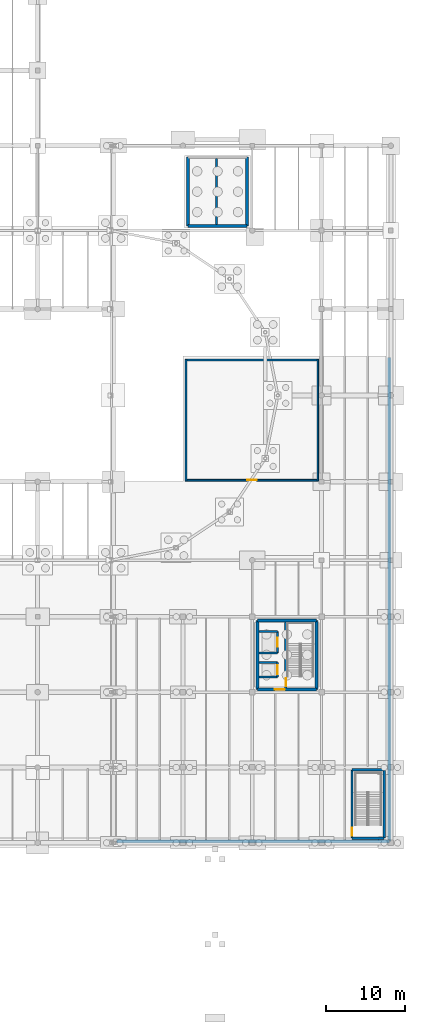
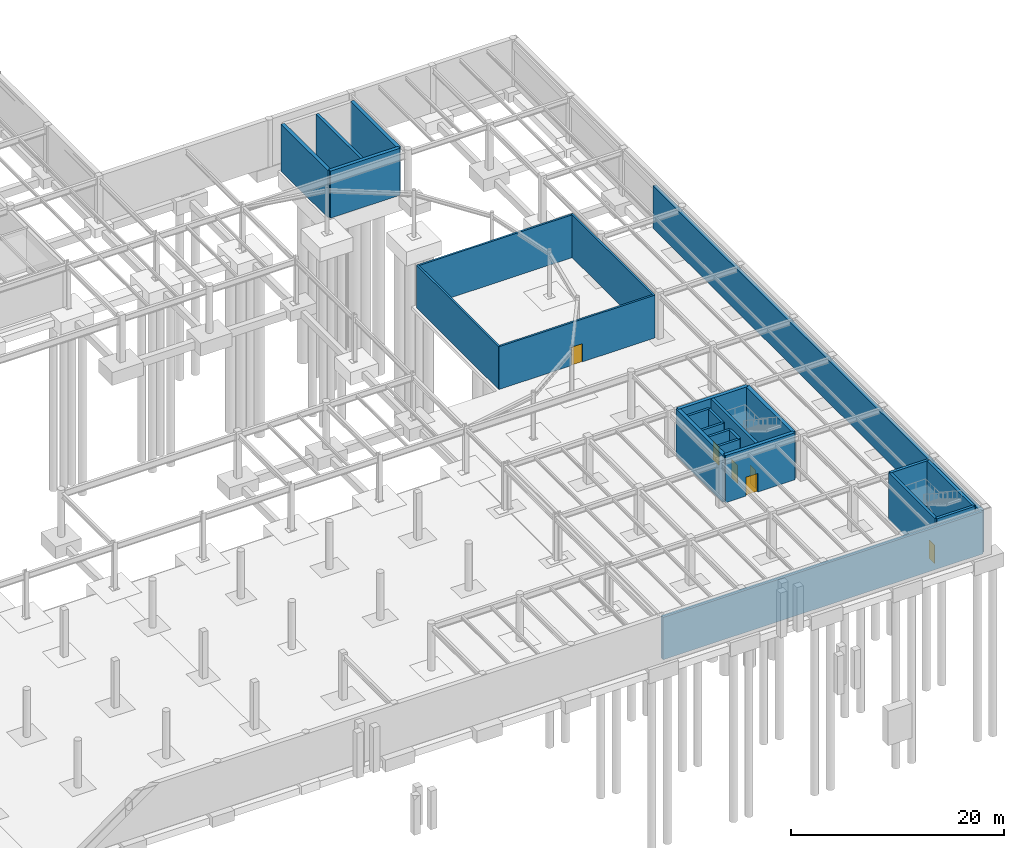
# One storey, part 46 of 50: 25 walls, 6 doors, 6 openings.
"""IFC4 building model written with IfcOpenShell, lengths in metres."""

from ifc_helpers import new_model, si_unit, direction, frame, frame_2d, origin, place, context, subcontext, project, spatial, rectangle, extrude, material, layer, layer_set, type_object, element, fill, save


model = new_model("IFC4")

# Units and contexts
model_context = context("Model", 3, precision=1e-05, world=origin(), true_north=direction((0.0, 1.0)))
body_context = subcontext(model_context, "Body", "Model", "MODEL_VIEW")
ifc_project = project(units=[si_unit("LENGTHUNIT", "METRE"), si_unit("AREAUNIT", "SQUARE_METRE"), si_unit("VOLUMEUNIT", "CUBIC_METRE"), si_unit("PLANEANGLEUNIT", "RADIAN"), si_unit("MASSUNIT", "GRAM", prefix="KILO")], contexts=[model_context])

# Site, building, storey
site_placement = place(None, origin())
site = spatial("IfcSite", under=ifc_project, at=site_placement, CompositionType="ELEMENT")
building_placement = place(site_placement, origin())
building = spatial("IfcBuilding", under=site, at=building_placement, Name="Yeouljin Market Hall", CompositionType="ELEMENT")
storey_placement = place(building_placement, frame((0.0, 0.0, -5.39990234375)))
storey = spatial("IfcBuildingStorey", under=building, at=storey_placement, Name="B1", CompositionType="ELEMENT", Elevation=-5.39990234375)

# Wall, opening, door
ifc_material_1 = material(Name="Gypsum Board Fire Partition")
ifc_layer_1 = layer(ifc_material_1, 0.2099609375)
ifc_layer_set_1 = layer_set([ifc_layer_1], Name="Gypsum Board Fire Partition")
wall_type_1 = type_object("IfcWallType", Name="Part_FireCorridor_210", PredefinedType="PARTITIONING", material=ifc_layer_set_1)
wall_1_placement = place(storey_placement, frame((150.219970703125, 46.199951171875, 0.0), z_axis=(0.0, 0.0, 1.0), x_axis=(1.0, 0.0, 0.0)))
wall_1 = element("IfcWall", 1, at=wall_1_placement, inside=storey, type_object=wall_type_1, Name="Interior partition PART-B1-0026", PredefinedType="PARTITIONING", context=body_context, shape_type="SweptSolid", body=[
    extrude(rectangle(XDim=16.9599609375, YDim=0.2099609375, at=frame_2d((8.47998046875, 0.0))), origin(), (0.0, 0.0, 1.0), 4.919921875),
])
opening_1_placement = place(wall_1_placement, frame((7.8798828125, 0.0, 0.0)))
opening_1 = element("IfcOpeningElement", 2, at=opening_1_placement, cuts=wall_1, Name="Opening D-B1-009", PredefinedType="OPENING", context=body_context, shape_type="SweptSolid", body=[
    extrude(rectangle(XDim=1.199951171875, YDim=2.10009765625, at=frame_2d((0.60009765625, 1.050048828125))), frame((0.0, 0.114990234375, 0.0), z_axis=(0.0, -1.0, 0.0), x_axis=(1.0, 0.0, 0.0)), (0.0, 0.0, 1.0), 0.22998046875),
])
ifc_material_2 = material(Name="Painted Fire-Rated Steel", Category="steel")
door_type_1 = type_object("IfcDoorType", Name="DT-FD120", OperationType="NOTDEFINED", PredefinedType="DOOR", material=ifc_material_2)
door_1_placement = place(opening_1_placement, origin())
door_1 = element("IfcDoor", 3, at=door_1_placement, inside=storey, type_object=door_type_1, Name="Interior door D-B1-009 (Food Waste Compactor Room)", OperationType="SINGLE_SWING_LEFT", OverallHeight=2.10009765625, OverallWidth=1.199951171875, PredefinedType="DOOR", context=body_context, shape_type="SweptSolid", body=[
    extrude(rectangle(XDim=1.199951171875, YDim=2.10009765625, at=frame_2d((0.60009765625, 1.050048828125))), frame((0.0, 0.02490234375, 0.0), z_axis=(0.0, -1.0, 0.0), x_axis=(1.0, 0.0, 0.0)), (0.0, 0.0, 1.0), 0.050048828125),
])
fill(opening_1, door_1)

# Walls
for number, where, z_axis, x_axis, name in (
    (4, (167.10009765625, 46.1201171875, 0.0), (0.0, 0.0, 1.0), (0.0, 1.0, 0.0), "Interior partition PART-B1-0027"),
    (5, (150.300048828125, 61.580078125, 0.0), (0.0, 0.0, 1.0), (0.0, -1.0, 0.0), "Interior partition PART-B1-0028"),
):
    element("IfcWall", number, at=place(storey_placement, frame(where, z_axis=z_axis, x_axis=x_axis)), inside=storey, type_object=wall_type_1, Name=name, PredefinedType="PARTITIONING", context=body_context, shape_type="SweptSolid", body=[
        extrude(rectangle(XDim=15.4599609375, YDim=0.2099609375, at=frame_2d((7.72998046875, 0.0))), origin(), (0.0, 0.0, 1.0), 4.919921875),
    ])
wall_2_placement = place(storey_placement, frame((167.179931640625, 61.5, 0.0), z_axis=(0.0, 0.0, 1.0), x_axis=(-1.0, 0.0, 0.0)))
element("IfcWall", 6, at=wall_2_placement, inside=storey, type_object=wall_type_1, Name="Interior partition PART-B1-0029", PredefinedType="PARTITIONING", context=body_context, shape_type="SweptSolid", body=[
    extrude(rectangle(XDim=16.9599609375, YDim=0.2099609375, at=frame_2d((8.47998046875, 0.0))), origin(), (0.0, 0.0, 1.0), 4.919921875),
])

# Wall, opening, door
ifc_material_3 = material(Name="Concrete C35/45", Category="concrete")
ifc_layer_2 = layer(ifc_material_3, 0.260009765625)
ifc_layer_set_2 = layer_set([ifc_layer_2], Name="Concrete C35/45")
wall_type_2 = type_object("IfcWallType", Name="Wall_Compartment_260", PredefinedType="SHEAR", material=ifc_layer_set_2)
wall_3_placement = place(storey_placement, frame((161.945068359375, 21.14990234375, 0.0), z_axis=(0.0, 0.0, 1.0), x_axis=(0.0, 1.0, 0.0)))
wall_3 = element("IfcWall", 7, at=wall_3_placement, inside=storey, type_object=wall_type_2, Name="Lift LP-03 hoistway front wall (B1)", PredefinedType="SHEAR", context=body_context, shape_type="SweptSolid", body=[
    extrude(rectangle(XDim=1.800048828125, YDim=0.260009765625, at=frame_2d((0.89990234375, 0.0))), origin(), (0.0, 0.0, 1.0), 5.39990234375),
])
opening_2_placement = place(wall_3_placement, frame((0.35009765625, 0.0, 0.0)))
opening_2 = element("IfcOpeningElement", 8, at=opening_2_placement, cuts=wall_3, Name="Opening LD-LP-03-B1", PredefinedType="OPENING", context=body_context, shape_type="SweptSolid", body=[
    extrude(rectangle(XDim=1.10009765625, YDim=2.14990234375, at=frame_2d((0.550048828125, 1.074951171875))), frame((0.0, 0.139892578125, 0.0), z_axis=(0.0, -1.0, 0.0), x_axis=(1.0, 0.0, 0.0)), (0.0, 0.0, 1.0), 0.280029296875),
])
ifc_material_4 = material(Name="Brushed Stainless Steel", Category="steel")
door_type_2 = type_object("IfcDoorType", Name="LD-110", OperationType="SLIDING_TO_LEFT", PredefinedType="DOOR", material=ifc_material_4)
door_2_placement = place(opening_2_placement, origin())
door_2 = element("IfcDoor", 9, at=door_2_placement, inside=storey, type_object=door_type_2, Name="Lift landing sliding door LD-LP-03-B1", OperationType="SLIDING_TO_LEFT", OverallHeight=2.14990234375, OverallWidth=1.10009765625, PredefinedType="DOOR", context=body_context, shape_type="SweptSolid", body=[
    extrude(rectangle(XDim=1.10009765625, YDim=2.14990234375, at=frame_2d((0.550048828125, 1.074951171875))), frame((0.0, 0.02490234375, 0.0), z_axis=(0.0, -1.0, 0.0), x_axis=(1.0, 0.0, 0.0)), (0.0, 0.0, 1.0), 0.050048828125),
])
fill(opening_2, door_2)

# Walls
for number, where, z_axis, x_axis, name in (
    (10, (159.590087890625, 21.14990234375, 0.0), (0.0, 0.0, 1.0), (1.0, 0.0, 0.0), "Lift LP-03 shaft cheek wall S (B1)"),
    (11, (159.590087890625, 22.949951171875, 0.0), (0.0, 0.0, 1.0), (1.0, 0.0, 0.0), "Lift LP-03 shaft cheek wall N (B1)"),
):
    element("IfcWall", number, at=place(storey_placement, frame(where, z_axis=z_axis, x_axis=x_axis)), inside=storey, type_object=wall_type_2, Name=name, PredefinedType="SHEAR", context=body_context, shape_type="SweptSolid", body=[
        extrude(rectangle(XDim=2.35498046875, YDim=0.260009765625, at=frame_2d((1.177490234375, 0.0))), origin(), (0.0, 0.0, 1.0), 5.39990234375),
    ])

# Wall, opening, door
wall_4_placement = place(storey_placement, frame((161.945068359375, 24.199951171875, 0.0), z_axis=(0.0, 0.0, 1.0), x_axis=(0.0, 1.0, 0.0)))
wall_4 = element("IfcWall", 12, at=wall_4_placement, inside=storey, type_object=wall_type_2, Name="Lift LS-02 hoistway front wall (B1)", PredefinedType="SHEAR", context=body_context, shape_type="SweptSolid", body=[
    extrude(rectangle(XDim=2.699951171875, YDim=0.260009765625, at=frame_2d((1.35009765625, 0.0))), origin(), (0.0, 0.0, 1.0), 5.39990234375),
])
opening_3_placement = place(wall_4_placement, frame((0.800048828125, 0.0, 0.0)))
opening_3 = element("IfcOpeningElement", 13, at=opening_3_placement, cuts=wall_4, Name="Opening LD-LS-02-B1", PredefinedType="OPENING", context=body_context, shape_type="SweptSolid", body=[
    extrude(rectangle(XDim=1.10009765625, YDim=2.14990234375, at=frame_2d((0.550048828125, 1.074951171875))), frame((0.0, 0.139892578125, 0.0), z_axis=(0.0, -1.0, 0.0), x_axis=(1.0, 0.0, 0.0)), (0.0, 0.0, 1.0), 0.280029296875),
])
door_3_placement = place(opening_3_placement, origin())
door_3 = element("IfcDoor", 14, at=door_3_placement, inside=storey, type_object=door_type_2, Name="Lift landing sliding door LD-LS-02-B1", OperationType="SLIDING_TO_RIGHT", OverallHeight=2.14990234375, OverallWidth=1.10009765625, PredefinedType="DOOR", context=body_context, shape_type="SweptSolid", body=[
    extrude(rectangle(XDim=1.10009765625, YDim=2.14990234375, at=frame_2d((0.550048828125, 1.074951171875))), frame((0.0, 0.02490234375, 0.0), z_axis=(0.0, -1.0, 0.0), x_axis=(1.0, 0.0, 0.0)), (0.0, 0.0, 1.0), 0.050048828125),
])
fill(opening_3, door_3)

# Walls
for number, where, z_axis, x_axis, name in (
    (15, (159.590087890625, 24.199951171875, 0.0), (0.0, 0.0, 1.0), (1.0, 0.0, 0.0), "Lift LS-02 shaft cheek wall S (B1)"),
    (16, (159.590087890625, 26.89990234375, 0.0), (0.0, 0.0, 1.0), (1.0, 0.0, 0.0), "Lift LS-02 shaft cheek wall N (B1)"),
):
    element("IfcWall", number, at=place(storey_placement, frame(where, z_axis=z_axis, x_axis=x_axis)), inside=storey, type_object=wall_type_2, Name=name, PredefinedType="SHEAR", context=body_context, shape_type="SweptSolid", body=[
        extrude(rectangle(XDim=2.35498046875, YDim=0.260009765625, at=frame_2d((1.177490234375, 0.0))), origin(), (0.0, 0.0, 1.0), 5.39990234375),
    ])

# Wall, opening, door
ifc_material_5 = material(Name="Concrete C35/45", Category="concrete")
ifc_layer_3 = layer(ifc_material_5, 0.3798828125)
ifc_layer_set_3 = layer_set([ifc_layer_3], Name="Concrete C35/45")
wall_type_3 = type_object("IfcWallType", Name="Wall_CoreShear_380", PredefinedType="SHEAR", material=ifc_layer_set_3)
wall_5_placement = place(storey_placement, frame((159.389892578125, 19.550048828125, 0.0), z_axis=(0.0, 0.0, 1.0), x_axis=(1.0, 0.0, 0.0)))
wall_5 = element("IfcWall", 17, at=wall_5_placement, inside=storey, type_object=wall_type_3, Name="Core C3 south shear wall (B1)", PredefinedType="SHEAR", context=body_context, shape_type="SweptSolid", body=[
    extrude(rectangle(XDim=7.530029296875, YDim=0.3798828125, at=frame_2d((3.76513671875, 0.0))), origin(), (0.0, 0.0, 1.0), 5.39990234375),
])
opening_4_placement = place(wall_5_placement, frame((2.22998046875, 0.0, 0.0)))
opening_4 = element("IfcOpeningElement", 18, at=opening_4_placement, cuts=wall_5, Name="Opening FD-C3-B1-01", PredefinedType="OPENING", context=body_context, shape_type="SweptSolid", body=[
    extrude(rectangle(XDim=1.280029296875, YDim=2.14990234375, at=frame_2d((0.64013671875, 1.074951171875))), frame((0.0, 0.199951171875, 0.0), z_axis=(0.0, -1.0, 0.0), x_axis=(1.0, 0.0, 0.0)), (0.0, 0.0, 1.0), 0.39990234375),
])
ifc_material_6 = material(Name="Painted Fire-Rated Steel", Category="steel")
door_type_3 = type_object("IfcDoorType", Name="DT-FD128", OperationType="NOTDEFINED", PredefinedType="DOOR", material=ifc_material_6)
door_4_placement = place(opening_4_placement, origin())
door_4 = element("IfcDoor", 19, at=door_4_placement, inside=storey, type_object=door_type_3, Name="Core C3 lobby fire door (B1)", OperationType="SINGLE_SWING_LEFT", OverallHeight=2.14990234375, OverallWidth=1.280029296875, PredefinedType="DOOR", context=body_context, shape_type="SweptSolid", body=[
    extrude(rectangle(XDim=1.280029296875, YDim=2.14990234375, at=frame_2d((0.64013671875, 1.074951171875))), frame((0.0, 0.02490234375, 0.0), z_axis=(0.0, -1.0, 0.0), x_axis=(1.0, 0.0, 0.0)), (0.0, 0.0, 1.0), 0.050048828125),
])
fill(opening_4, door_4)

# Walls
wall_6_placement = place(storey_placement, frame((166.919921875, 28.35009765625, 0.0), z_axis=(0.0, 0.0, 1.0), x_axis=(-1.0, 0.0, 0.0)))
element("IfcWall", 20, at=wall_6_placement, inside=storey, type_object=wall_type_3, Name="Core C3 north shear wall (B1)", PredefinedType="SHEAR", context=body_context, shape_type="SweptSolid", body=[
    extrude(rectangle(XDim=7.530029296875, YDim=0.3798828125, at=frame_2d((3.76513671875, 0.0))), origin(), (0.0, 0.0, 1.0), 5.39990234375),
])
for number, where, z_axis, x_axis, name in (
    (21, (159.389892578125, 28.35009765625, 0.0), (0.0, 0.0, 1.0), (0.0, -1.0, 0.0), "Core C3 west shear wall (B1)"),
    (22, (166.919921875, 19.550048828125, 0.0), (0.0, 0.0, 1.0), (0.0, 1.0, 0.0), "Core C3 east shear wall (B1)"),
):
    element("IfcWall", number, at=place(storey_placement, frame(where, z_axis=z_axis, x_axis=x_axis)), inside=storey, type_object=wall_type_3, Name=name, PredefinedType="SHEAR", context=body_context, shape_type="SweptSolid", body=[
        extrude(rectangle(XDim=8.800048828125, YDim=0.3798828125, at=frame_2d((4.39990234375, 0.0))), origin(), (0.0, 0.0, 1.0), 5.39990234375),
    ])
wall_7_placement = place(storey_placement, frame((150.56005859375, 78.550048828125, 0.0), z_axis=(0.0, 0.0, 1.0), x_axis=(1.0, 0.0, 0.0)))
element("IfcWall", 23, at=wall_7_placement, inside=storey, type_object=wall_type_3, Name="Core C4 substructure shear wall S", PredefinedType="SHEAR", context=body_context, shape_type="SweptSolid", body=[
    extrude(rectangle(XDim=7.530029296875, YDim=0.3798828125, at=frame_2d((3.76513671875, 0.0))), origin(), (0.0, 0.0, 1.0), 5.39990234375),
])
for number, where, z_axis, x_axis, name in (
    (24, (150.56005859375, 87.35009765625, 0.0), (0.0, 0.0, 1.0), (0.0, -1.0, 0.0), "Core C4 substructure shear wall W"),
    (25, (158.090087890625, 78.550048828125, 0.0), (0.0, 0.0, 1.0), (0.0, 1.0, 0.0), "Core C4 substructure shear wall E"),
):
    element("IfcWall", number, at=place(storey_placement, frame(where, z_axis=z_axis, x_axis=x_axis)), inside=storey, type_object=wall_type_3, Name=name, PredefinedType="SHEAR", context=body_context, shape_type="SweptSolid", body=[
        extrude(rectangle(XDim=8.800048828125, YDim=0.3798828125, at=frame_2d((4.39990234375, 0.0))), origin(), (0.0, 0.0, 1.0), 5.39990234375),
    ])
ifc_material_7 = material(Name="Concrete C35/45", Category="concrete")
ifc_layer_4 = layer(ifc_material_7, 0.39990234375)
ifc_layer_set_4 = layer_set([ifc_layer_4], Name="Concrete C35/45")
wall_type_4 = type_object("IfcWallType", Name="Wall_Retaining_RC400", PredefinedType="USERDEFINED", material=ifc_layer_set_4)
wall_8_placement = place(storey_placement, frame((176.199951171875, 0.199951171875, 0.0), z_axis=(0.0, 0.0, 1.0), x_axis=(-1.0, 0.0, 0.0)))
element("IfcWall", 26, at=wall_8_placement, inside=storey, type_object=wall_type_4, Name="Exterior wall W-B1-ES", ObjectType="RETAININGWALL", PredefinedType="USERDEFINED", context=body_context, shape_type="SweptSolid", body=[
    extrude(rectangle(XDim=34.760009765625, YDim=0.39990234375, at=frame_2d((17.3798828125, 0.0))), origin(), (0.0, 0.0, 1.0), 4.849853515625),
])
wall_9_placement = place(storey_placement, frame((176.199951171875, 61.800048828125, 0.0), z_axis=(0.0, 0.0, 1.0), x_axis=(0.0, -1.0, 0.0)))
element("IfcWall", 27, at=wall_9_placement, inside=storey, type_object=wall_type_4, Name="Exterior wall W-B1-EE", ObjectType="RETAININGWALL", PredefinedType="USERDEFINED", context=body_context, shape_type="SweptSolid", body=[
    extrude(rectangle(XDim=61.60009765625, YDim=0.39990234375, at=frame_2d((30.800048828125, 0.0))), origin(), (0.0, 0.0, 1.0), 4.849853515625),
])

# Wall, opening, door
ifc_material_8 = material(Name="Concrete C35/45", Category="concrete")
ifc_layer_5 = layer(ifc_material_8, 0.300048828125)
ifc_layer_set_5 = layer_set([ifc_layer_5], Name="Concrete C35/45")
wall_type_5 = type_object("IfcWallType", Name="Wall_ShaftShear_300", PredefinedType="SHEAR", material=ifc_layer_set_5)
wall_10_placement = place(storey_placement, frame((163.02001953125, 19.75, 0.0), z_axis=(0.0, 0.0, 1.0), x_axis=(0.0, 1.0, 0.0)))
wall_10 = element("IfcWall", 28, at=wall_10_placement, inside=storey, type_object=wall_type_5, Name="Core C3 stairwell divider wall (B1)", PredefinedType="SHEAR", context=body_context, shape_type="SweptSolid", body=[
    extrude(rectangle(XDim=8.39990234375, YDim=0.300048828125, at=frame_2d((4.199951171875, 0.0))), origin(), (0.0, 0.0, 1.0), 5.39990234375),
])
opening_5_placement = place(wall_10_placement, frame((0.199951171875, 0.0, 0.0)))
opening_5 = element("IfcOpeningElement", 29, at=opening_5_placement, cuts=wall_10, Name="Opening SD-C3-B1", PredefinedType="OPENING", context=body_context, shape_type="SweptSolid", body=[
    extrude(rectangle(XDim=1.02001953125, YDim=2.10009765625, at=frame_2d((0.510009765625, 1.050048828125))), frame((0.0, 0.159912109375, 0.0), z_axis=(0.0, -1.0, 0.0), x_axis=(1.0, 0.0, 0.0)), (0.0, 0.0, 1.0), 0.320068359375),
])
ifc_material_9 = material(Name="Painted Fire-Rated Steel", Category="steel")
door_type_4 = type_object("IfcDoorType", Name="DT-FD102", OperationType="NOTDEFINED", PredefinedType="DOOR", material=ifc_material_9)
door_5_placement = place(opening_5_placement, origin())
door_5 = element("IfcDoor", 30, at=door_5_placement, inside=storey, type_object=door_type_4, Name="Core C3 exit stair door (B1)", OperationType="SINGLE_SWING_RIGHT", OverallHeight=2.10009765625, OverallWidth=1.02001953125, PredefinedType="DOOR", context=body_context, shape_type="SweptSolid", body=[
    extrude(rectangle(XDim=1.02001953125, YDim=2.10009765625, at=frame_2d((0.510009765625, 1.050048828125))), frame((0.0, 0.02490234375, 0.0), z_axis=(0.0, -1.0, 0.0), x_axis=(1.0, 0.0, 0.0)), (0.0, 0.0, 1.0), 0.050048828125),
])
fill(opening_5, door_5)

# Walls
wall_11_placement = place(storey_placement, frame((154.18994140625, 78.75, 0.0), z_axis=(0.0, 0.0, 1.0), x_axis=(0.0, 1.0, 0.0)))
element("IfcWall", 31, at=wall_11_placement, inside=storey, type_object=wall_type_5, Name="Core C4 substructure divider wall", PredefinedType="SHEAR", context=body_context, shape_type="SweptSolid", body=[
    extrude(rectangle(XDim=8.39990234375, YDim=0.300048828125, at=frame_2d((4.199951171875, 0.0))), origin(), (0.0, 0.0, 1.0), 5.39990234375),
])
for number, where, z_axis, x_axis, name in (
    (32, (171.449951171875, 0.60009765625, 0.0), (0.0, 0.0, 1.0), (1.0, 0.0, 0.0), "Core S8 south shear wall (B1)"),
    (33, (175.550048828125, 9.300048828125, 0.0), (0.0, 0.0, 1.0), (-1.0, 0.0, 0.0), "Core S8 north shear wall (B1)"),
):
    element("IfcWall", number, at=place(storey_placement, frame(where, z_axis=z_axis, x_axis=x_axis)), inside=storey, type_object=wall_type_5, Name=name, PredefinedType="SHEAR", context=body_context, shape_type="SweptSolid", body=[
        extrude(rectangle(XDim=4.10009765625, YDim=0.300048828125, at=frame_2d((2.050048828125, 0.0))), origin(), (0.0, 0.0, 1.0), 5.39990234375),
    ])

# Wall, opening, door
wall_12_placement = place(storey_placement, frame((171.449951171875, 9.300048828125, 0.0), z_axis=(0.0, 0.0, 1.0), x_axis=(0.0, -1.0, 0.0)))
wall_12 = element("IfcWall", 34, at=wall_12_placement, inside=storey, type_object=wall_type_5, Name="Core S8 west shear wall (B1)", PredefinedType="SHEAR", context=body_context, shape_type="SweptSolid", body=[
    extrude(rectangle(XDim=8.699951171875, YDim=0.300048828125, at=frame_2d((4.35009765625, 0.0))), origin(), (0.0, 0.0, 1.0), 5.39990234375),
])
opening_6_placement = place(wall_12_placement, frame((7.3798828125, 0.0, 0.0)))
opening_6 = element("IfcOpeningElement", 35, at=opening_6_placement, cuts=wall_12, Name="Opening SD-S8-B1", PredefinedType="OPENING", context=body_context, shape_type="SweptSolid", body=[
    extrude(rectangle(XDim=1.02001953125, YDim=2.10009765625, at=frame_2d((0.510009765625, 1.050048828125))), frame((0.0, 0.159912109375, 0.0), z_axis=(0.0, -1.0, 0.0), x_axis=(1.0, 0.0, 0.0)), (0.0, 0.0, 1.0), 0.320068359375),
])
door_6_placement = place(opening_6_placement, origin())
door_6 = element("IfcDoor", 36, at=door_6_placement, inside=storey, type_object=door_type_4, Name="Escape stair S8 fire door (B1)", OperationType="SINGLE_SWING_RIGHT", OverallHeight=2.10009765625, OverallWidth=1.02001953125, PredefinedType="DOOR", context=body_context, shape_type="SweptSolid", body=[
    extrude(rectangle(XDim=1.02001953125, YDim=2.10009765625, at=frame_2d((0.510009765625, 1.050048828125))), frame((0.0, 0.02490234375, 0.0), z_axis=(0.0, -1.0, 0.0), x_axis=(1.0, 0.0, 0.0)), (0.0, 0.0, 1.0), 0.050048828125),
])
fill(opening_6, door_6)

# Wall
wall_13_placement = place(storey_placement, frame((175.550048828125, 0.60009765625, 0.0), z_axis=(0.0, 0.0, 1.0), x_axis=(0.0, 1.0, 0.0)))
element("IfcWall", 37, at=wall_13_placement, inside=storey, type_object=wall_type_5, Name="Core S8 east shear wall (B1)", PredefinedType="SHEAR", context=body_context, shape_type="SweptSolid", body=[
    extrude(rectangle(XDim=8.699951171875, YDim=0.300048828125, at=frame_2d((4.35009765625, 0.0))), origin(), (0.0, 0.0, 1.0), 5.39990234375),
])

save(model, "model.ifc")
